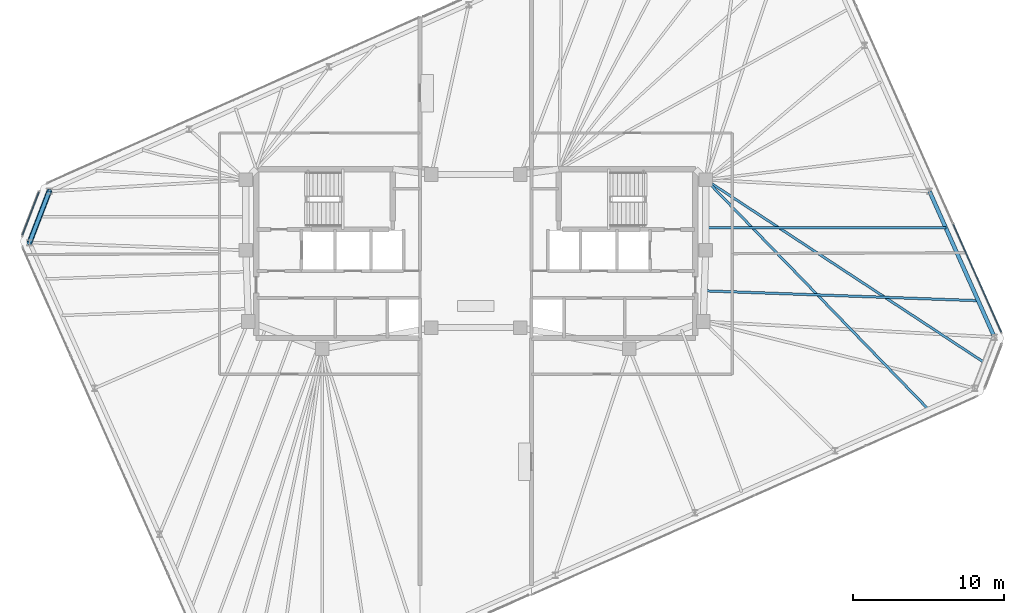
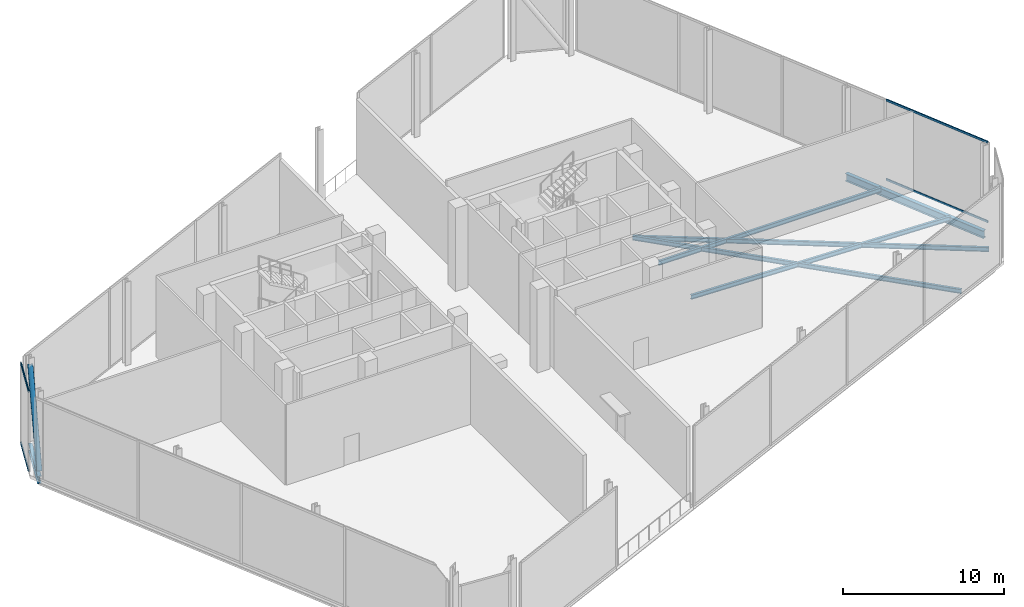
# One storey, part 9 of 16: 6 beams, 5 members, 2 elements without a shape of their own.
"""IFC4 building model written with IfcOpenShell, lengths in metres."""

from ifc_helpers import new_model, si_unit, direction, frame, origin, origin_2d, place, context, subcontext, project, spatial, rectangle, hollow_circle, i_section, extrude, material, material_profile, profile_set, type_object, element, aggregate, save


model = new_model("IFC4")

# Units and contexts
model_context = context("Model", 3, precision=1e-05, world=origin(), true_north=direction((0.0, 1.0)))
body_context = subcontext(model_context, "Body", "Model", "MODEL_VIEW")
ifc_project = project(units=[si_unit("LENGTHUNIT", "METRE"), si_unit("AREAUNIT", "SQUARE_METRE"), si_unit("VOLUMEUNIT", "CUBIC_METRE"), si_unit("PLANEANGLEUNIT", "RADIAN"), si_unit("MASSUNIT", "GRAM", prefix="KILO")], contexts=[model_context])

# Site, building, storey
site_placement = place(None, origin())
site = spatial("IfcSite", under=ifc_project, at=site_placement, CompositionType="ELEMENT")
building_placement = place(site_placement, origin())
building = spatial("IfcBuilding", under=site, at=building_placement, Name="Menara Jurai Vektor", CompositionType="ELEMENT")
storey_placement = place(building_placement, frame((0.0, 0.0, 275.60009765625)))
storey = spatial("IfcBuildingStorey", under=building, at=storey_placement, Name="L74", CompositionType="ELEMENT", Elevation=275.60009765625)

# Curtain wall, members
ifc_material_1 = material(Name="Anodised Pale Aluminium & Low-E Double Glazing", Category="aluminium")
curtain_wall_type = type_object("IfcCurtainWallType", Name="CW-BLK5", PredefinedType="NOTDEFINED", material=ifc_material_1)
curtain_wall_1_placement = place(storey_placement, origin())
curtain_wall_1 = element("IfcCurtainWall", 1, at=curtain_wall_1_placement, inside=storey, type_object=curtain_wall_type, Name="Unitised Curtain Wall L74 W1-03", PredefinedType="NOTDEFINED")
ifc_material_2 = material(Name="Anodised Pale Aluminium Transom", Category="aluminium")
ifc_material_profile_1 = material_profile(ifc_material_2, rectangle(XDim=0.074951171875, YDim=0.155029296875, at=origin_2d()), Name="ALU TRN 75x155")
ifc_profile_set_1 = profile_set([ifc_material_profile_1], Name="Anodised Pale Aluminium Transom")
member_type_1 = type_object("IfcMemberType", Name="CW-BLK5-TRN", PredefinedType="USERDEFINED", material=ifc_profile_set_1)
member_1_placement = place(storey_placement, frame((-28.96923828125, 4.079345703125, 0.037353515625), z_axis=(-0.358324523823, -0.933597094911, 0.0), x_axis=(0.933597094911, -0.358324523823, 0.0)))
member_1 = element("IfcMember", 2, at=member_1_placement, type_object=member_type_1, Name="CW-05 transom 1.1", ObjectType="TRANSOM", PredefinedType="USERDEFINED", context=body_context, shape_type="SweptSolid", body=[
    extrude(rectangle(XDim=0.074951171875, YDim=0.155029296875, at=origin_2d()), origin(), (0.0, 0.0, 1.0), 3.049560546875),
])
member_2_placement = place(storey_placement, frame((-28.96923828125, 4.079345703125, 6.037353515625), z_axis=(-0.358324523823, -0.933597094911, 0.0), x_axis=(0.933597094911, -0.358324523823, 0.0)))
member_2 = element("IfcMember", 3, at=member_2_placement, type_object=member_type_1, Name="CW-05 transom 1.2", ObjectType="TRANSOM", PredefinedType="USERDEFINED", context=body_context, shape_type="SweptSolid", body=[
    extrude(rectangle(XDim=0.074951171875, YDim=0.155029296875, at=origin_2d()), origin(), (0.0, 0.0, 1.0), 3.049560546875),
])
aggregate(curtain_wall_1, [member_1, member_2])

curtain_wall_2_placement = place(storey_placement, origin())
curtain_wall_2 = element("IfcCurtainWall", 4, at=curtain_wall_2_placement, inside=storey, type_object=curtain_wall_type, Name="Unitised Curtain Wall L74 W2-04", PredefinedType="NOTDEFINED")
member_3_placement = place(storey_placement, frame((34.840087890625, -5.19189453125, 0.037353515625), z_axis=(-0.406739711224, 0.913544091609, 0.0), x_axis=(-0.913544091609, -0.406739711224, 0.0)))
member_3 = element("IfcMember", 5, at=member_3_placement, type_object=member_type_1, Name="CW-05 transom 1.1", ObjectType="TRANSOM", PredefinedType="USERDEFINED", context=body_context, shape_type="SweptSolid", body=[
    extrude(rectangle(XDim=0.074951171875, YDim=0.155029296875, at=origin_2d()), origin(), (0.0, 0.0, 1.0), 7.797607421875),
])
member_4_placement = place(storey_placement, frame((34.840087890625, -5.19189453125, 6.037353515625), z_axis=(-0.406739711224, 0.913544091609, 0.0), x_axis=(-0.913544091609, -0.406739711224, 0.0)))
member_4 = element("IfcMember", 6, at=member_4_placement, type_object=member_type_1, Name="CW-05 transom 1.2", ObjectType="TRANSOM", PredefinedType="USERDEFINED", context=body_context, shape_type="SweptSolid", body=[
    extrude(rectangle(XDim=0.074951171875, YDim=0.155029296875, at=origin_2d()), origin(), (0.0, 0.0, 1.0), 7.797607421875),
])
aggregate(curtain_wall_2, [member_3, member_4])

# Member
ifc_material_3 = material(Name="Steel S460", Category="steel")
ifc_material_profile_2 = material_profile(ifc_material_3, hollow_circle(Radius=0.177734375, WallThickness=0.01611328125, at=origin_2d()), Name="CHS 355.6x16")
ifc_profile_set_2 = profile_set([ifc_material_profile_2], Name="Steel S460")
member_type_2 = type_object("IfcMemberType", Name="STR-BR-356", PredefinedType="BRACE", material=ifc_profile_set_2)
member_5_placement = place(storey_placement, frame((-29.591796875, 0.73681640625, 0.14990234375), z_axis=(0.195847496683, 0.510157055966, 0.837486439467), x_axis=(-0.933570293083, 0.358394346877, 0.0)))
element("IfcMember", 7, at=member_5_placement, inside=storey, type_object=member_type_2, Name="Exoskeleton Corner Brace L74-3", PredefinedType="BRACE", context=body_context, shape_type="SweptSolid", body=[
    extrude(hollow_circle(Radius=0.177734375, WallThickness=0.01611328125, at=origin_2d()), origin(), (0.0, 0.0, 1.0), 6.65673828125),
])

# Beams
ifc_material_4 = material(Name="Steel S355", Category="steel")
ifc_material_profile_3 = material_profile(ifc_material_4, i_section(OverallWidth=0.1650390625, OverallDepth=0.330078125, WebThickness=0.009033203125, FlangeThickness=0.013916015625, at=origin_2d()), Name="PG 330x165x46")
ifc_profile_set_3 = profile_set([ifc_material_profile_3], Name="Steel S355")
beam_type_1 = type_object("IfcBeamType", Name="STR-JS-330", PredefinedType="JOIST", material=ifc_profile_set_3)
beam_1_placement = place(storey_placement, frame((29.996826171875, -10.30908203125, -0.4150390625), z_axis=(-0.696114697983, 0.717930586653, 0.0), x_axis=(-0.717930586653, -0.696114697983, 0.0)))
element("IfcBeam", 8, at=beam_1_placement, inside=storey, type_object=beam_type_1, Name="Radial Secondary Floor Joist L74-JS04", PredefinedType="JOIST", context=body_context, shape_type="SweptSolid", body=[
    extrude(i_section(OverallWidth=0.1650390625, OverallDepth=0.330078125, WebThickness=0.009033203125, FlangeThickness=0.013916015625, at=origin_2d()), origin(), (0.0, 0.0, 1.0), 21.1845703125),
])
beam_2_placement = place(storey_placement, frame((33.739990234375, -7.23486328125, -0.4150390625), z_axis=(-0.836033194478, 0.54867886576, 0.0), x_axis=(-0.54867886576, -0.836033194478, 0.0)))
element("IfcBeam", 9, at=beam_2_placement, inside=storey, type_object=beam_type_1, Name="Radial Secondary Floor Joist L74-JS05", PredefinedType="JOIST", context=body_context, shape_type="SweptSolid", body=[
    extrude(i_section(OverallWidth=0.1650390625, OverallDepth=0.330078125, WebThickness=0.009033203125, FlangeThickness=0.013916015625, at=origin_2d()), origin(), (0.0, 0.0, 1.0), 22.116455078125),
])
beam_3_placement = place(storey_placement, frame((33.315185546875, -3.119384765625, -0.4150390625), z_axis=(-0.999351699571, 0.036002507761, 0.0), x_axis=(-0.036002507761, -0.999351699571, 0.0)))
element("IfcBeam", 10, at=beam_3_placement, inside=storey, type_object=beam_type_1, Name="Radial Secondary Floor Joist L74-JS06", PredefinedType="JOIST", context=body_context, shape_type="SweptSolid", body=[
    extrude(i_section(OverallWidth=0.1650390625, OverallDepth=0.330078125, WebThickness=0.009033203125, FlangeThickness=0.013916015625, at=origin_2d()), origin(), (0.0, 0.0, 1.0), 18.173583984375),
])
beam_4_placement = place(storey_placement, frame((31.16259765625, 1.7158203125, -0.4150390625), z_axis=(-1.0, 0.0, 0.0), x_axis=(0.0, -1.0, 0.0)))
element("IfcBeam", 11, at=beam_4_placement, inside=storey, type_object=beam_type_1, Name="Radial Secondary Floor Joist L74-JS07", PredefinedType="JOIST", context=body_context, shape_type="SweptSolid", body=[
    extrude(i_section(OverallWidth=0.1650390625, OverallDepth=0.330078125, WebThickness=0.009033203125, FlangeThickness=0.013916015625, at=origin_2d()), origin(), (0.0, 0.0, 1.0), 15.91259765625),
])
ifc_material_profile_4 = material_profile(ifc_material_4, i_section(OverallWidth=0.260009765625, OverallDepth=0.570068359375, WebThickness=0.013916015625, FlangeThickness=0.02392578125, at=origin_2d()), Name="PG 570x260x145")
ifc_profile_set_4 = profile_set([ifc_material_profile_4], Name="Steel S355")
beam_type_2 = type_object("IfcBeamType", Name="STR-SP-570", PredefinedType="SPANDREL", material=ifc_profile_set_4)
beam_5_placement = place(storey_placement, frame((34.3916015625, -5.536865234375, -0.53515625), z_axis=(-0.40673543049, 0.91354599752, 0.0), x_axis=(-0.91354599752, -0.40673543049, 0.0)))
element("IfcBeam", 12, at=beam_5_placement, inside=storey, type_object=beam_type_2, Name="Exoskeleton Spandrel Beam L74-07", PredefinedType="SPANDREL", context=body_context, shape_type="SweptSolid", body=[
    extrude(i_section(OverallWidth=0.260009765625, OverallDepth=0.570068359375, WebThickness=0.013916015625, FlangeThickness=0.02392578125, at=origin_2d()), origin(), (0.0, 0.0, 1.0), 10.585205078125),
])
beam_6_placement = place(storey_placement, frame((-28.2880859375, 4.1328125, -0.53515625), z_axis=(-0.358394346877, -0.933570293083, 0.0), x_axis=(0.933570293083, -0.358394346877, 0.0)))
element("IfcBeam", 13, at=beam_6_placement, inside=storey, type_object=beam_type_2, Name="Exoskeleton Spandrel Beam L74-16", PredefinedType="SPANDREL", context=body_context, shape_type="SweptSolid", body=[
    extrude(i_section(OverallWidth=0.260009765625, OverallDepth=0.570068359375, WebThickness=0.013916015625, FlangeThickness=0.02392578125, at=origin_2d()), origin(), (0.0, 0.0, 1.0), 3.6376953125),
])

save(model, "model.ifc")
